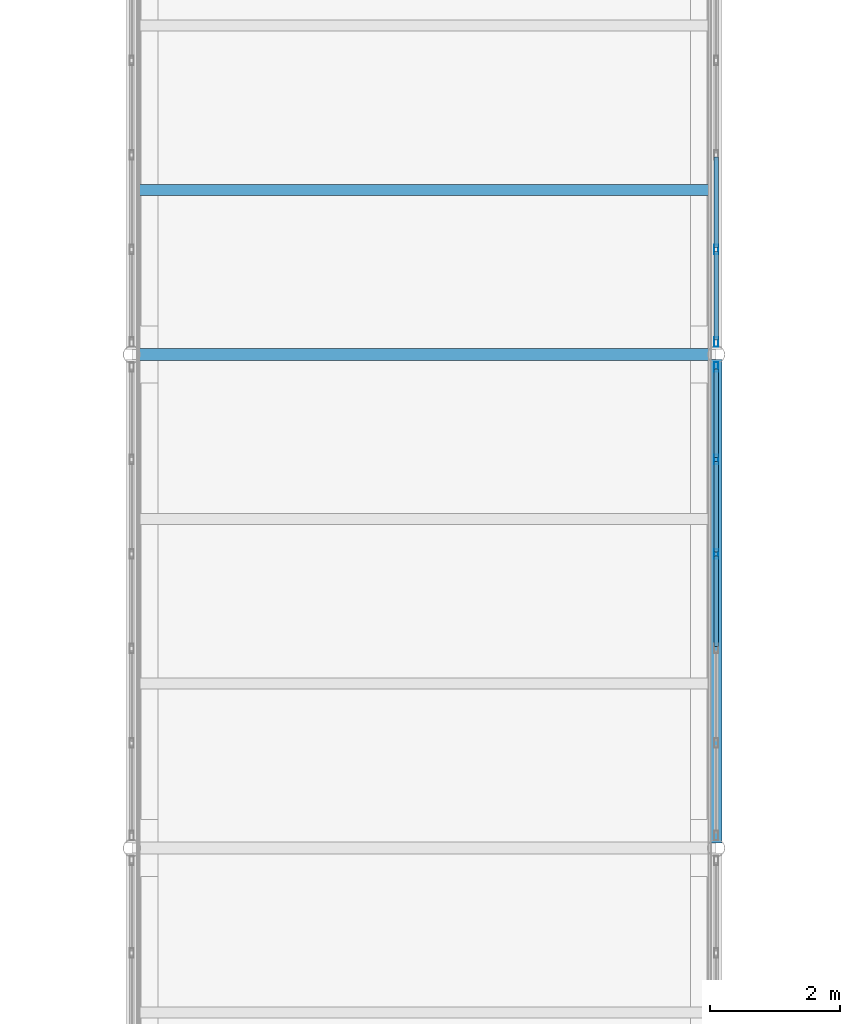
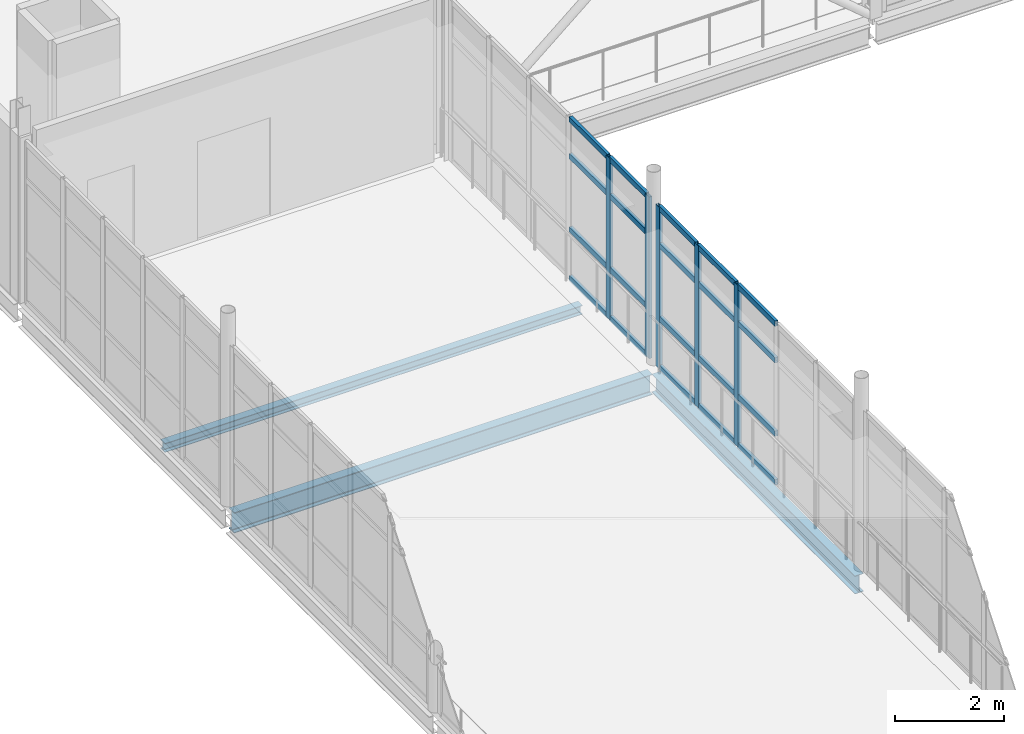
# One storey, part 74 of 174: 25 members, 3 beams, 2 elements without a shape of their own.
"""IFC4 building model written with IfcOpenShell, lengths in metres."""

from ifc_helpers import new_model, si_unit, direction, frame, origin, origin_2d, place, context, subcontext, project, spatial, hollow_rectangle, i_section, extrude, material, material_profile, profile_set, type_object, element, aggregate, save


model = new_model("IFC4")

# Units and contexts
model_context = context("Model", 3, precision=1e-05, world=origin(), true_north=direction((0.0, 1.0)))
body_context = subcontext(model_context, "Body", "Model", "MODEL_VIEW")
ifc_project = project(units=[si_unit("LENGTHUNIT", "METRE"), si_unit("AREAUNIT", "SQUARE_METRE"), si_unit("VOLUMEUNIT", "CUBIC_METRE"), si_unit("PLANEANGLEUNIT", "RADIAN"), si_unit("MASSUNIT", "GRAM", prefix="KILO")], contexts=[model_context])

# Site, building, storey
site_placement = place(None, origin())
site = spatial("IfcSite", under=ifc_project, at=site_placement, CompositionType="ELEMENT")
building_placement = place(site_placement, origin())
building = spatial("IfcBuilding", under=site, at=building_placement, Name="Caisbarro Railhouse Central Library", CompositionType="ELEMENT")
storey_placement = place(building_placement, frame((0.0, 0.0, 5.0400390625)))
storey = spatial("IfcBuildingStorey", under=building, at=storey_placement, Name="L01", CompositionType="ELEMENT", Elevation=5.0400390625)

# Beams
ifc_material_1 = material(Name="Steel ASTM A572 Grade 50", Category="steel")
ifc_material_profile_1 = material_profile(ifc_material_1, i_section(OverallWidth=0.18994140625, OverallDepth=0.45703125, WebThickness=0.009033203125, FlangeThickness=0.014404296875, FilletRadius=0.01806640625, at=origin_2d()), Name="W460X74.0")
ifc_profile_set_1 = profile_set([ifc_material_profile_1], Name="Steel ASTM A572 Grade 50")
beam_type_1 = type_object("IfcBeamType", Name="BM-G08", PredefinedType="BEAM", material=ifc_profile_set_1)
beam_1_placement = place(storey_placement, frame((54.080078125, 76.0, -0.428466796875), z_axis=(1.0, 0.0, 0.0), x_axis=(0.0, 1.0, 0.0)))
element("IfcBeam", 1, at=beam_1_placement, inside=storey, type_object=beam_type_1, Name="G08 beam L01 #1247", PredefinedType="BEAM", context=body_context, shape_type="SweptSolid", body=[
    extrude(i_section(OverallWidth=0.18994140625, OverallDepth=0.45703125, WebThickness=0.009033203125, FlangeThickness=0.014404296875, FilletRadius=0.01806640625, at=origin_2d()), origin(), (0.0, 0.0, 1.0), 8.83984375),
])
ifc_material_profile_2 = material_profile(ifc_material_1, i_section(OverallWidth=0.177978515625, OverallDepth=0.406982421875, WebThickness=0.0078125, FlangeThickness=0.0126953125, FilletRadius=0.01611328125, at=origin_2d()), Name="W410X60.0")
ifc_profile_set_2 = profile_set([ifc_material_profile_2], Name="Steel ASTM A572 Grade 50")
beam_type_2 = type_object("IfcBeamType", Name="BM-G10", PredefinedType="BEAM", material=ifc_profile_set_2)
beam_2_placement = place(storey_placement, frame((63.0, 68.47998046875, -0.403564453125), z_axis=(0.0, 1.0, 0.0), x_axis=(-1.0, 0.0, 0.0)))
element("IfcBeam", 2, at=beam_2_placement, inside=storey, type_object=beam_type_2, Name="G10 beam L01 #1252", PredefinedType="BEAM", context=body_context, shape_type="SweptSolid", body=[
    extrude(i_section(OverallWidth=0.177978515625, OverallDepth=0.406982421875, WebThickness=0.0078125, FlangeThickness=0.0126953125, FilletRadius=0.01611328125, at=origin_2d()), origin(), (0.0, 0.0, 1.0), 7.43994140625),
])
ifc_material_profile_3 = material_profile(ifc_material_1, i_section(OverallWidth=0.1650390625, OverallDepth=0.200927734375, WebThickness=0.006103515625, FlangeThickness=0.01025390625, FilletRadius=0.010009765625, at=origin_2d()), Name="W200X35.9")
ifc_profile_set_3 = profile_set([ifc_material_profile_3], Name="Steel ASTM A572 Grade 50")
beam_type_3 = type_object("IfcBeamType", Name="BM-J06", PredefinedType="JOIST", material=ifc_profile_set_3)
beam_3_placement = place(storey_placement, frame((54.089111328125, 78.533203125, -0.300537109375), z_axis=(1.0, 0.0, 0.0), x_axis=(0.0, 1.0, 0.0)))
element("IfcBeam", 3, at=beam_3_placement, inside=storey, type_object=beam_type_3, Name="J06 beam L01 #1258", PredefinedType="JOIST", context=body_context, shape_type="SweptSolid", body=[
    extrude(i_section(OverallWidth=0.1650390625, OverallDepth=0.200927734375, WebThickness=0.006103515625, FlangeThickness=0.01025390625, FilletRadius=0.010009765625, at=origin_2d()), origin(), (0.0, 0.0, 1.0), 8.82177734375),
])

# Curtain wall, members
ifc_material_2 = material(Name="Anodised architectural aluminium", Category="aluminium")
curtain_wall_type = type_object("IfcCurtainWallType", Name="CW-CW03", PredefinedType="NOTDEFINED", material=ifc_material_2)
curtain_wall_1_placement = place(storey_placement, origin())
curtain_wall_1 = element("IfcCurtainWall", 4, at=curtain_wall_1_placement, inside=storey, type_object=curtain_wall_type, Name="CW03 curtain wall L01 #195", PredefinedType="NOTDEFINED")
ifc_material_profile_4 = material_profile(ifc_material_2, hollow_rectangle(XDim=0.06494140625, YDim=0.14990234375, WallThickness=0.00390625, at=origin_2d()), Name="ALU-MUL-65X150")
ifc_profile_set_4 = profile_set([ifc_material_profile_4], Name="Anodised architectural aluminium")
member_type_1 = type_object("IfcMemberType", Name="CWM-M02", PredefinedType="MULLION", material=ifc_profile_set_4)
member_1_placement = place(storey_placement, frame((63.0, 72.927978515625, 0.0), z_axis=(0.0, 0.0, 1.0), x_axis=(-1.0, 0.0, 0.0)))
member_1 = element("IfcMember", 5, at=member_1_placement, type_object=member_type_1, Name="CW03 mullion 4", PredefinedType="MULLION", context=body_context, shape_type="SweptSolid", body=[
    extrude(hollow_rectangle(XDim=0.06494140625, YDim=0.14990234375, WallThickness=0.00390625, at=origin_2d()), origin(), (0.0, 0.0, 1.0), 3.60986328125),
])
member_2_placement = place(storey_placement, frame((63.0, 74.384033203125, 0.0), z_axis=(0.0, 0.0, 1.0), x_axis=(-1.0, 0.0, 0.0)))
member_2 = element("IfcMember", 6, at=member_2_placement, type_object=member_type_1, Name="CW03 mullion 5", PredefinedType="MULLION", context=body_context, shape_type="SweptSolid", body=[
    extrude(hollow_rectangle(XDim=0.06494140625, YDim=0.14990234375, WallThickness=0.00390625, at=origin_2d()), origin(), (0.0, 0.0, 1.0), 3.60986328125),
])
member_3_placement = place(storey_placement, frame((63.0, 75.8076171875, 0.0), z_axis=(0.0, 0.0, 1.0), x_axis=(-1.0, 0.0, 0.0)))
member_3 = element("IfcMember", 7, at=member_3_placement, type_object=member_type_1, Name="CW03 mullion 6", PredefinedType="MULLION", context=body_context, shape_type="SweptSolid", body=[
    extrude(hollow_rectangle(XDim=0.06494140625, YDim=0.14990234375, WallThickness=0.00390625, at=origin_2d()), origin(), (0.0, 0.0, 1.0), 3.60986328125),
])

curtain_wall_2_placement = place(storey_placement, origin())
curtain_wall_2 = element("IfcCurtainWall", 8, at=curtain_wall_2_placement, inside=storey, type_object=curtain_wall_type, Name="CW03 curtain wall L01 #197", PredefinedType="NOTDEFINED")
member_4_placement = place(storey_placement, frame((63.0, 76.1923828125, 0.0), z_axis=(0.0, 0.0, 1.0), x_axis=(-1.0, 0.0, 0.0)))
member_4 = element("IfcMember", 9, at=member_4_placement, type_object=member_type_1, Name="CW03 mullion 1", PredefinedType="MULLION", context=body_context, shape_type="SweptSolid", body=[
    extrude(hollow_rectangle(XDim=0.06494140625, YDim=0.14990234375, WallThickness=0.00390625, at=origin_2d()), origin(), (0.0, 0.0, 1.0), 3.60986328125),
])
member_5_placement = place(storey_placement, frame((63.0, 77.615966796875, 0.0), z_axis=(0.0, 0.0, 1.0), x_axis=(-1.0, 0.0, 0.0)))
member_5 = element("IfcMember", 10, at=member_5_placement, type_object=member_type_1, Name="CW03 mullion 2", PredefinedType="MULLION", context=body_context, shape_type="SweptSolid", body=[
    extrude(hollow_rectangle(XDim=0.06494140625, YDim=0.14990234375, WallThickness=0.00390625, at=origin_2d()), origin(), (0.0, 0.0, 1.0), 3.60986328125),
])

# Member
ifc_material_profile_5 = material_profile(ifc_material_2, hollow_rectangle(XDim=0.06494140625, YDim=0.1201171875, WallThickness=0.00341796875, at=origin_2d()), Name="ALU-TRN-65X120")
ifc_profile_set_5 = profile_set([ifc_material_profile_5], Name="Anodised architectural aluminium")
member_type_2 = type_object("IfcMemberType", Name="CWT-T02", PredefinedType="USERDEFINED", material=ifc_profile_set_5)
member_6_placement = place(storey_placement, frame((63.0, 71.50439453125, 0.032470703125), z_axis=(0.0, 1.0, 0.0), x_axis=(-1.0, 0.0, 0.0)))
member_6 = element("IfcMember", 11, at=member_6_placement, type_object=member_type_2, Name="CW03 transom 3.1", ObjectType="TRANSOM", PredefinedType="USERDEFINED", context=body_context, shape_type="SweptSolid", body=[
    extrude(hollow_rectangle(XDim=0.06494140625, YDim=0.1201171875, WallThickness=0.00341796875, at=origin_2d()), origin(), (0.0, 0.0, 1.0), 1.39111328125),
])

member_7_placement = place(storey_placement, frame((63.0, 71.50439453125, 1.119873046875), z_axis=(0.0, 1.0, 0.0), x_axis=(-1.0, 0.0, 0.0)))
member_7 = element("IfcMember", 12, at=member_7_placement, type_object=member_type_2, Name="CW03 transom 3.2", ObjectType="TRANSOM", PredefinedType="USERDEFINED", context=body_context, shape_type="SweptSolid", body=[
    extrude(hollow_rectangle(XDim=0.06494140625, YDim=0.1201171875, WallThickness=0.00341796875, at=origin_2d()), origin(), (0.0, 0.0, 1.0), 1.39111328125),
])

member_8_placement = place(storey_placement, frame((63.0, 71.50439453125, 2.760009765625), z_axis=(0.0, 1.0, 0.0), x_axis=(-1.0, 0.0, 0.0)))
member_8 = element("IfcMember", 13, at=member_8_placement, type_object=member_type_2, Name="CW03 transom 3.3", ObjectType="TRANSOM", PredefinedType="USERDEFINED", context=body_context, shape_type="SweptSolid", body=[
    extrude(hollow_rectangle(XDim=0.06494140625, YDim=0.1201171875, WallThickness=0.00341796875, at=origin_2d()), origin(), (0.0, 0.0, 1.0), 1.39111328125),
])

member_9_placement = place(storey_placement, frame((63.0, 71.50439453125, 3.577392578125), z_axis=(0.0, 1.0, 0.0), x_axis=(-1.0, 0.0, 0.0)))
member_9 = element("IfcMember", 14, at=member_9_placement, type_object=member_type_2, Name="CW03 transom 3.4", ObjectType="TRANSOM", PredefinedType="USERDEFINED", context=body_context, shape_type="SweptSolid", body=[
    extrude(hollow_rectangle(XDim=0.06494140625, YDim=0.1201171875, WallThickness=0.00341796875, at=origin_2d()), origin(), (0.0, 0.0, 1.0), 1.39111328125),
])

member_10_placement = place(storey_placement, frame((63.0, 72.96044921875, 0.032470703125), z_axis=(0.0, 1.0, 0.0), x_axis=(-1.0, 0.0, 0.0)))
member_10 = element("IfcMember", 15, at=member_10_placement, type_object=member_type_2, Name="CW03 transom 4.1", ObjectType="TRANSOM", PredefinedType="USERDEFINED", context=body_context, shape_type="SweptSolid", body=[
    extrude(hollow_rectangle(XDim=0.06494140625, YDim=0.1201171875, WallThickness=0.00341796875, at=origin_2d()), origin(), (0.0, 0.0, 1.0), 1.39111328125),
])

member_11_placement = place(storey_placement, frame((63.0, 72.96044921875, 1.119873046875), z_axis=(0.0, 1.0, 0.0), x_axis=(-1.0, 0.0, 0.0)))
member_11 = element("IfcMember", 16, at=member_11_placement, type_object=member_type_2, Name="CW03 transom 4.2", ObjectType="TRANSOM", PredefinedType="USERDEFINED", context=body_context, shape_type="SweptSolid", body=[
    extrude(hollow_rectangle(XDim=0.06494140625, YDim=0.1201171875, WallThickness=0.00341796875, at=origin_2d()), origin(), (0.0, 0.0, 1.0), 1.39111328125),
])

member_12_placement = place(storey_placement, frame((63.0, 72.96044921875, 2.760009765625), z_axis=(0.0, 1.0, 0.0), x_axis=(-1.0, 0.0, 0.0)))
member_12 = element("IfcMember", 17, at=member_12_placement, type_object=member_type_2, Name="CW03 transom 4.3", ObjectType="TRANSOM", PredefinedType="USERDEFINED", context=body_context, shape_type="SweptSolid", body=[
    extrude(hollow_rectangle(XDim=0.06494140625, YDim=0.1201171875, WallThickness=0.00341796875, at=origin_2d()), origin(), (0.0, 0.0, 1.0), 1.39111328125),
])

member_13_placement = place(storey_placement, frame((63.0, 72.96044921875, 3.577392578125), z_axis=(0.0, 1.0, 0.0), x_axis=(-1.0, 0.0, 0.0)))
member_13 = element("IfcMember", 18, at=member_13_placement, type_object=member_type_2, Name="CW03 transom 4.4", ObjectType="TRANSOM", PredefinedType="USERDEFINED", context=body_context, shape_type="SweptSolid", body=[
    extrude(hollow_rectangle(XDim=0.06494140625, YDim=0.1201171875, WallThickness=0.00341796875, at=origin_2d()), origin(), (0.0, 0.0, 1.0), 1.39111328125),
])

member_14_placement = place(storey_placement, frame((63.0, 74.41650390625, 0.032470703125), z_axis=(0.0, 1.0, 0.0), x_axis=(-1.0, 0.0, 0.0)))
member_14 = element("IfcMember", 19, at=member_14_placement, type_object=member_type_2, Name="CW03 transom 5.1", ObjectType="TRANSOM", PredefinedType="USERDEFINED", context=body_context, shape_type="SweptSolid", body=[
    extrude(hollow_rectangle(XDim=0.06494140625, YDim=0.1201171875, WallThickness=0.00341796875, at=origin_2d()), origin(), (0.0, 0.0, 1.0), 1.3583984375),
])

member_15_placement = place(storey_placement, frame((63.0, 74.41650390625, 1.119873046875), z_axis=(0.0, 1.0, 0.0), x_axis=(-1.0, 0.0, 0.0)))
member_15 = element("IfcMember", 20, at=member_15_placement, type_object=member_type_2, Name="CW03 transom 5.2", ObjectType="TRANSOM", PredefinedType="USERDEFINED", context=body_context, shape_type="SweptSolid", body=[
    extrude(hollow_rectangle(XDim=0.06494140625, YDim=0.1201171875, WallThickness=0.00341796875, at=origin_2d()), origin(), (0.0, 0.0, 1.0), 1.3583984375),
])

member_16_placement = place(storey_placement, frame((63.0, 74.41650390625, 2.760009765625), z_axis=(0.0, 1.0, 0.0), x_axis=(-1.0, 0.0, 0.0)))
member_16 = element("IfcMember", 21, at=member_16_placement, type_object=member_type_2, Name="CW03 transom 5.3", ObjectType="TRANSOM", PredefinedType="USERDEFINED", context=body_context, shape_type="SweptSolid", body=[
    extrude(hollow_rectangle(XDim=0.06494140625, YDim=0.1201171875, WallThickness=0.00341796875, at=origin_2d()), origin(), (0.0, 0.0, 1.0), 1.3583984375),
])

member_17_placement = place(storey_placement, frame((63.0, 74.41650390625, 3.577392578125), z_axis=(0.0, 1.0, 0.0), x_axis=(-1.0, 0.0, 0.0)))
member_17 = element("IfcMember", 22, at=member_17_placement, type_object=member_type_2, Name="CW03 transom 5.4", ObjectType="TRANSOM", PredefinedType="USERDEFINED", context=body_context, shape_type="SweptSolid", body=[
    extrude(hollow_rectangle(XDim=0.06494140625, YDim=0.1201171875, WallThickness=0.00341796875, at=origin_2d()), origin(), (0.0, 0.0, 1.0), 1.3583984375),
])

aggregate(curtain_wall_1, [member_1, member_2, member_3, member_6, member_7, member_8, member_9, member_10, member_11, member_12, member_13, member_14, member_15, member_16, member_17])

member_18_placement = place(storey_placement, frame((63.0, 76.22509765625, 0.032470703125), z_axis=(0.0, 1.0, 0.0), x_axis=(-1.0, 0.0, 0.0)))
member_18 = element("IfcMember", 23, at=member_18_placement, type_object=member_type_2, Name="CW03 transom 1.1", ObjectType="TRANSOM", PredefinedType="USERDEFINED", context=body_context, shape_type="SweptSolid", body=[
    extrude(hollow_rectangle(XDim=0.06494140625, YDim=0.1201171875, WallThickness=0.00341796875, at=origin_2d()), origin(), (0.0, 0.0, 1.0), 1.3583984375),
])

member_19_placement = place(storey_placement, frame((63.0, 76.22509765625, 1.119873046875), z_axis=(0.0, 1.0, 0.0), x_axis=(-1.0, 0.0, 0.0)))
member_19 = element("IfcMember", 24, at=member_19_placement, type_object=member_type_2, Name="CW03 transom 1.2", ObjectType="TRANSOM", PredefinedType="USERDEFINED", context=body_context, shape_type="SweptSolid", body=[
    extrude(hollow_rectangle(XDim=0.06494140625, YDim=0.1201171875, WallThickness=0.00341796875, at=origin_2d()), origin(), (0.0, 0.0, 1.0), 1.3583984375),
])

member_20_placement = place(storey_placement, frame((63.0, 76.22509765625, 2.760009765625), z_axis=(0.0, 1.0, 0.0), x_axis=(-1.0, 0.0, 0.0)))
member_20 = element("IfcMember", 25, at=member_20_placement, type_object=member_type_2, Name="CW03 transom 1.3", ObjectType="TRANSOM", PredefinedType="USERDEFINED", context=body_context, shape_type="SweptSolid", body=[
    extrude(hollow_rectangle(XDim=0.06494140625, YDim=0.1201171875, WallThickness=0.00341796875, at=origin_2d()), origin(), (0.0, 0.0, 1.0), 1.3583984375),
])

member_21_placement = place(storey_placement, frame((63.0, 76.22509765625, 3.577392578125), z_axis=(0.0, 1.0, 0.0), x_axis=(-1.0, 0.0, 0.0)))
member_21 = element("IfcMember", 26, at=member_21_placement, type_object=member_type_2, Name="CW03 transom 1.4", ObjectType="TRANSOM", PredefinedType="USERDEFINED", context=body_context, shape_type="SweptSolid", body=[
    extrude(hollow_rectangle(XDim=0.06494140625, YDim=0.1201171875, WallThickness=0.00341796875, at=origin_2d()), origin(), (0.0, 0.0, 1.0), 1.3583984375),
])

member_22_placement = place(storey_placement, frame((63.0, 77.6484375, 0.032470703125), z_axis=(0.0, 1.0, 0.0), x_axis=(-1.0, 0.0, 0.0)))
member_22 = element("IfcMember", 27, at=member_22_placement, type_object=member_type_2, Name="CW03 transom 2.1", ObjectType="TRANSOM", PredefinedType="USERDEFINED", context=body_context, shape_type="SweptSolid", body=[
    extrude(hollow_rectangle(XDim=0.06494140625, YDim=0.1201171875, WallThickness=0.00341796875, at=origin_2d()), origin(), (0.0, 0.0, 1.0), 1.39111328125),
])

member_23_placement = place(storey_placement, frame((63.0, 77.6484375, 1.119873046875), z_axis=(0.0, 1.0, 0.0), x_axis=(-1.0, 0.0, 0.0)))
member_23 = element("IfcMember", 28, at=member_23_placement, type_object=member_type_2, Name="CW03 transom 2.2", ObjectType="TRANSOM", PredefinedType="USERDEFINED", context=body_context, shape_type="SweptSolid", body=[
    extrude(hollow_rectangle(XDim=0.06494140625, YDim=0.1201171875, WallThickness=0.00341796875, at=origin_2d()), origin(), (0.0, 0.0, 1.0), 1.39111328125),
])

member_24_placement = place(storey_placement, frame((63.0, 77.6484375, 2.760009765625), z_axis=(0.0, 1.0, 0.0), x_axis=(-1.0, 0.0, 0.0)))
member_24 = element("IfcMember", 29, at=member_24_placement, type_object=member_type_2, Name="CW03 transom 2.3", ObjectType="TRANSOM", PredefinedType="USERDEFINED", context=body_context, shape_type="SweptSolid", body=[
    extrude(hollow_rectangle(XDim=0.06494140625, YDim=0.1201171875, WallThickness=0.00341796875, at=origin_2d()), origin(), (0.0, 0.0, 1.0), 1.39111328125),
])

member_25_placement = place(storey_placement, frame((63.0, 77.6484375, 3.577392578125), z_axis=(0.0, 1.0, 0.0), x_axis=(-1.0, 0.0, 0.0)))
member_25 = element("IfcMember", 30, at=member_25_placement, type_object=member_type_2, Name="CW03 transom 2.4", ObjectType="TRANSOM", PredefinedType="USERDEFINED", context=body_context, shape_type="SweptSolid", body=[
    extrude(hollow_rectangle(XDim=0.06494140625, YDim=0.1201171875, WallThickness=0.00341796875, at=origin_2d()), origin(), (0.0, 0.0, 1.0), 1.39111328125),
])

aggregate(curtain_wall_2, [member_4, member_5, member_18, member_19, member_20, member_21, member_22, member_23, member_24, member_25])

save(model, "model.ifc")
